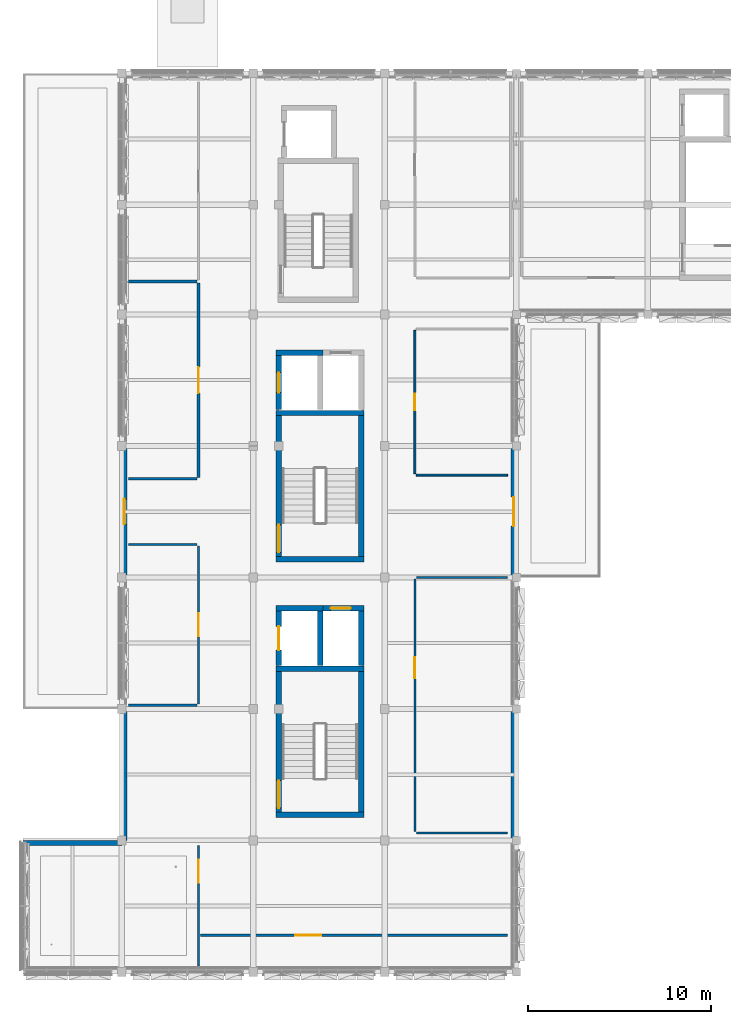
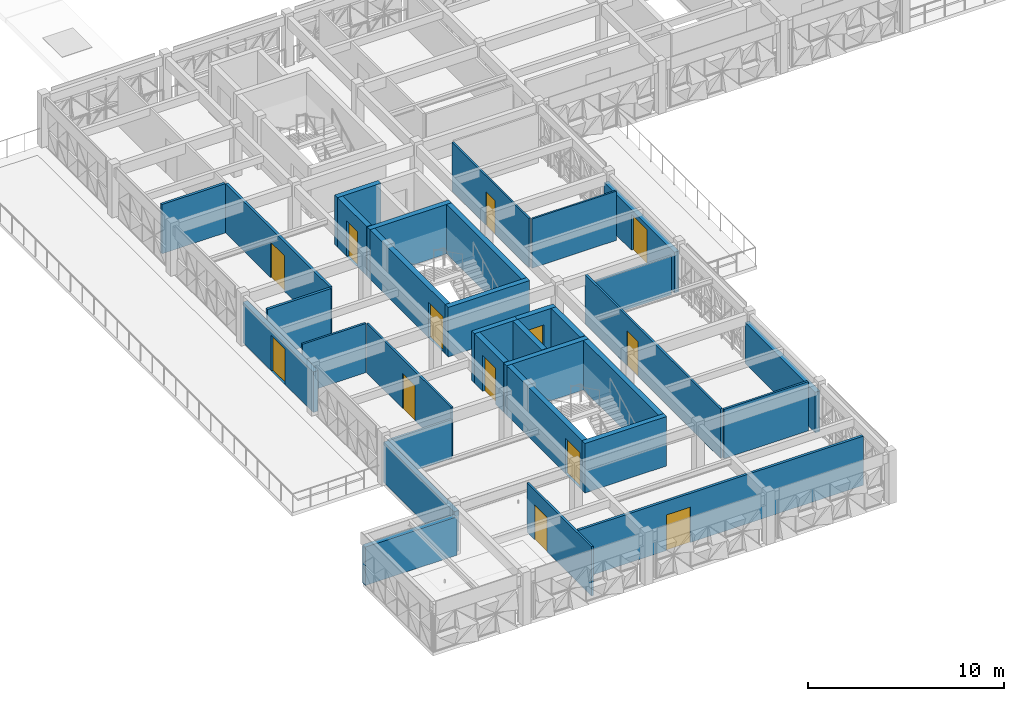
# One storey, part 19 of 35: 33 walls, 13 doors, 13 openings.
"""IFC4 building model written with IfcOpenShell, lengths in metres."""

from ifc_helpers import new_model, si_unit, direction, frame, frame_2d, origin, place, context, subcontext, project, spatial, rectangle, extrude, material, layer, layer_set, type_object, element, fill, save


model = new_model("IFC4")

# Units and contexts
model_context = context("Model", 3, precision=1e-05, world=origin(), true_north=direction((0.0, 1.0)))
body_context = subcontext(model_context, "Body", "Model", "MODEL_VIEW")
ifc_project = project(units=[si_unit("LENGTHUNIT", "METRE"), si_unit("AREAUNIT", "SQUARE_METRE"), si_unit("VOLUMEUNIT", "CUBIC_METRE"), si_unit("PLANEANGLEUNIT", "RADIAN"), si_unit("MASSUNIT", "GRAM", prefix="KILO")], contexts=[model_context])

# Site, building, storey
site_placement = place(None, origin())
site = spatial("IfcSite", under=ifc_project, at=site_placement, CompositionType="ELEMENT")
building_placement = place(site_placement, origin())
building = spatial("IfcBuilding", under=site, at=building_placement, Name="Alvorim Cloister Faculty of Sciences", CompositionType="ELEMENT")
storey_placement = place(building_placement, frame((0.0, 0.0, 22.949951171875)))
storey = spatial("IfcBuildingStorey", under=building, at=storey_placement, Name="L06", CompositionType="ELEMENT", Elevation=22.949951171875)

# Walls
ifc_material_1 = material(Name="Cross-Laminated Timber CLT C24", Category="wood")
ifc_layer_1 = layer(ifc_material_1, 0.280029296875)
ifc_layer_set_1 = layer_set([ifc_layer_1], Name="Cross-Laminated Timber CLT C24")
wall_type_1 = type_object("IfcWallType", Name="WL-EXT-TMB-280", PredefinedType="SOLIDWALL", material=ifc_layer_set_1)
wall_1_placement = place(storey_placement, frame((1.800048828125, 14.260009765625, 0.0), z_axis=(0.0, 0.0, 1.0), x_axis=(1.0, 0.0, 0.0)))
element("IfcWall", 1, at=wall_1_placement, inside=storey, type_object=wall_type_1, Name="L06 Exterior Wall WL-0235", PredefinedType="SOLIDWALL", context=body_context, shape_type="SweptSolid", body=[
    extrude(rectangle(XDim=5.39990234375, YDim=0.280029296875, at=frame_2d((2.699951171875, 0.0))), origin(), (0.0, 0.0, 1.0), 2.39599609375),
])
wall_2_placement = place(storey_placement, frame((7.340087890625, 14.39990234375, 0.0), z_axis=(0.0, 0.0, 1.0), x_axis=(0.0, 1.0, 0.0)))
element("IfcWall", 2, at=wall_2_placement, inside=storey, type_object=wall_type_1, Name="L06 Exterior Wall WL-0236", PredefinedType="SOLIDWALL", context=body_context, shape_type="SweptSolid", body=[
    extrude(rectangle(XDim=7.2001953125, YDim=0.280029296875, at=frame_2d((3.60009765625, 0.0))), origin(), (0.0, 0.0, 1.0), 2.5400390625),
])

# Wall, opening, door
wall_3_placement = place(storey_placement, frame((7.340087890625, 28.800048828125, 0.0), z_axis=(0.0, 0.0, 1.0), x_axis=(0.0, 1.0, 0.0)))
wall_3 = element("IfcWall", 3, at=wall_3_placement, inside=storey, type_object=wall_type_1, Name="L06 Exterior Wall WL-0237", PredefinedType="SOLIDWALL", context=body_context, shape_type="SweptSolid", body=[
    extrude(rectangle(XDim=7.199951171875, YDim=0.280029296875, at=frame_2d((3.60009765625, 0.0))), origin(), (0.0, 0.0, 1.0), 2.5400390625),
])
opening_1_placement = place(wall_3_placement, frame((2.89990234375, 0.0, 0.0)))
opening_1 = element("IfcOpeningElement", 4, at=opening_1_placement, cuts=wall_3, Name="Opening TD-10", PredefinedType="OPENING", context=body_context, shape_type="SweptSolid", body=[
    extrude(rectangle(XDim=1.39990234375, YDim=2.199951171875, at=frame_2d((0.699951171875, 1.10009765625))), frame((0.0, 0.15185546875, 0.0), z_axis=(0.0, -1.0, 0.0), x_axis=(1.0, 0.0, 0.0)), (0.0, 0.0, 1.0), 0.303955078125),
])
ifc_material_2 = material(Name="Aluminium Alloy 6063-T6", Category="aluminium")
door_type_1 = type_object("IfcDoorType", Name="DR-TER-1400x2200", OperationType="NOTDEFINED", PredefinedType="DOOR", material=ifc_material_2)
door_1_placement = place(opening_1_placement, origin())
door_1 = element("IfcDoor", 5, at=door_1_placement, inside=storey, type_object=door_type_1, Name="L06 West Shifted Bar Sky Garden Access Door TD-10", OperationType="DOUBLE_DOOR_SINGLE_SWING", OverallHeight=2.199951171875, OverallWidth=1.39990234375, PredefinedType="DOOR", context=body_context, shape_type="SweptSolid", body=[
    extrude(rectangle(XDim=1.39990234375, YDim=2.199951171875, at=frame_2d((0.699951171875, 1.10009765625))), frame((0.0, 0.02490234375, 0.0), z_axis=(0.0, -1.0, 0.0), x_axis=(1.0, 0.0, 0.0)), (0.0, 0.0, 1.0), 0.050048828125),
])
fill(opening_1, door_1)

wall_4_placement = place(storey_placement, frame((28.659912109375, 28.800048828125, 0.0), z_axis=(0.0, 0.0, 1.0), x_axis=(0.0, 1.0, 0.0)))
wall_4 = element("IfcWall", 6, at=wall_4_placement, inside=storey, type_object=wall_type_1, Name="L06 Exterior Wall WL-0239", PredefinedType="SOLIDWALL", context=body_context, shape_type="SweptSolid", body=[
    extrude(rectangle(XDim=7.199951171875, YDim=0.280029296875, at=frame_2d((3.60009765625, 0.0))), origin(), (0.0, 0.0, 1.0), 2.5400390625),
])
opening_2_placement = place(wall_4_placement, frame((2.800048828125, 0.0, 0.0)))
opening_2 = element("IfcOpeningElement", 7, at=opening_2_placement, cuts=wall_4, Name="Opening TD-11", PredefinedType="OPENING", context=body_context, shape_type="SweptSolid", body=[
    extrude(rectangle(XDim=1.60009765625, YDim=2.25, at=frame_2d((0.800048828125, 1.125))), frame((0.0, 0.15185546875, 0.0), z_axis=(0.0, -1.0, 0.0), x_axis=(1.0, 0.0, 0.0)), (0.0, 0.0, 1.0), 0.303955078125),
])
door_type_2 = type_object("IfcDoorType", Name="DR-TER-1600x2250", OperationType="NOTDEFINED", PredefinedType="DOOR", material=ifc_material_2)
door_2_placement = place(opening_2_placement, origin())
door_2 = element("IfcDoor", 8, at=door_2_placement, inside=storey, type_object=door_type_2, Name="L06 Upper Cloister Overlook Sky Terrace Access Door TD-11", OperationType="DOUBLE_DOOR_SINGLE_SWING", OverallHeight=2.25, OverallWidth=1.60009765625, PredefinedType="DOOR", context=body_context, shape_type="SweptSolid", body=[
    extrude(rectangle(XDim=1.60009765625, YDim=2.25, at=frame_2d((0.800048828125, 1.125))), frame((0.0, 0.02490234375, 0.0), z_axis=(0.0, -1.0, 0.0), x_axis=(1.0, 0.0, 0.0)), (0.0, 0.0, 1.0), 0.050048828125),
])
fill(opening_2, door_2)

# Wall
wall_5_placement = place(storey_placement, frame((28.659912109375, 14.39990234375, 0.0), z_axis=(0.0, 0.0, 1.0), x_axis=(0.0, 1.0, 0.0)))
element("IfcWall", 9, at=wall_5_placement, inside=storey, type_object=wall_type_1, Name="L06 Exterior Wall WL-0240", PredefinedType="SOLIDWALL", context=body_context, shape_type="SweptSolid", body=[
    extrude(rectangle(XDim=7.2001953125, YDim=0.280029296875, at=frame_2d((3.60009765625, 0.0))), origin(), (0.0, 0.0, 1.0), 2.5400390625),
])

# Wall, opening, door
ifc_material_3 = material(Name="Moisture-Resistant Tile Stud Partition", Category="gypsum")
ifc_layer_2 = layer(ifc_material_3, 0.10009765625)
ifc_layer_set_2 = layer_set([ifc_layer_2], Name="Moisture-Resistant Tile Stud Partition")
wall_type_2 = type_object("IfcWallType", Name="WL-PRT-100", PredefinedType="PARTITIONING", material=ifc_layer_set_2)
wall_6_placement = place(storey_placement, frame((23.25, 34.47998046875, 0.0), z_axis=(0.0, 0.0, 1.0), x_axis=(0.0, 1.0, 0.0)))
wall_6 = element("IfcWall", 10, at=wall_6_placement, inside=storey, type_object=wall_type_2, Name="L06 L06 Accessible WCs Partition IWL-0678", PredefinedType="PARTITIONING", context=body_context, shape_type="SweptSolid", body=[
    extrude(rectangle(XDim=7.840087890625, YDim=0.10009765625, at=frame_2d((3.919921875, 0.0))), origin(), (0.0, 0.0, 1.0), 3.074951171875),
])
opening_3_placement = place(wall_6_placement, frame((3.469970703125, 0.0, 0.0)))
opening_3 = element("IfcOpeningElement", 11, at=opening_3_placement, cuts=wall_6, Name="Opening D-L06-200", PredefinedType="OPENING", context=body_context, shape_type="SweptSolid", body=[
    extrude(rectangle(XDim=0.89990234375, YDim=2.10009765625, at=frame_2d((0.449951171875, 1.050048828125))), frame((0.0, 0.06201171875, 0.0), z_axis=(0.0, -1.0, 0.0), x_axis=(1.0, 0.0, 0.0)), (0.0, 0.0, 1.0), 0.1240234375),
])
ifc_material_4 = material(Name="Moisture-Resistant Laminate Timber", Category="wood")
door_type_3 = type_object("IfcDoorType", Name="DR-WC-900x2100", OperationType="NOTDEFINED", PredefinedType="DOOR", material=ifc_material_4)
door_3_placement = place(opening_3_placement, origin())
door_3 = element("IfcDoor", 12, at=door_3_placement, inside=storey, type_object=door_type_3, Name="L06 Accessible WCs Door D-L06-200", OperationType="SINGLE_SWING_RIGHT", OverallHeight=2.10009765625, OverallWidth=0.89990234375, PredefinedType="DOOR", context=body_context, shape_type="SweptSolid", body=[
    extrude(rectangle(XDim=0.89990234375, YDim=2.10009765625, at=frame_2d((0.449951171875, 1.050048828125))), frame((0.0, 0.02490234375, 0.0), z_axis=(0.0, -1.0, 0.0), x_axis=(1.0, 0.0, 0.0)), (0.0, 0.0, 1.0), 0.050048828125),
])
fill(opening_3, door_3)

# Wall
wall_7_placement = place(storey_placement, frame((23.330078125, 34.39990234375, 0.0), z_axis=(0.0, 0.0, 1.0), x_axis=(1.0, 0.0, 0.0)))
element("IfcWall", 13, at=wall_7_placement, inside=storey, type_object=wall_type_2, Name="L06 L06 Accessible WCs Partition IWL-0679", PredefinedType="PARTITIONING", context=body_context, shape_type="SweptSolid", body=[
    extrude(rectangle(XDim=4.989990234375, YDim=0.10009765625, at=frame_2d((2.4951171875, 0.0))), origin(), (0.0, 0.0, 1.0), 3.074951171875),
])

# Wall, opening, door
ifc_material_5 = material(Name="Acoustic Gypsum Stud Partition", Category="gypsum")
ifc_layer_3 = layer(ifc_material_5, 0.1201171875)
ifc_layer_set_3 = layer_set([ifc_layer_3], Name="Acoustic Gypsum Stud Partition")
wall_type_3 = type_object("IfcWallType", Name="WL-PRT-120", PredefinedType="PARTITIONING", material=ifc_layer_set_3)
wall_8_placement = place(storey_placement, frame((11.39990234375, 7.530029296875, 0.0), z_axis=(0.0, 0.0, 1.0), x_axis=(0.0, 1.0, 0.0)))
wall_8 = element("IfcWall", 14, at=wall_8_placement, inside=storey, type_object=wall_type_3, Name="L06 South-West Cantilevered Earth Sciences Salon Partition IWL-0666", PredefinedType="PARTITIONING", context=body_context, shape_type="SweptSolid", body=[
    extrude(rectangle(XDim=6.590087890625, YDim=0.1201171875, at=frame_2d((3.294921875, 0.0))), origin(), (0.0, 0.0, 1.0), 3.074951171875),
])
opening_4_placement = place(wall_8_placement, frame((4.550048828125, 0.0, 0.0)))
opening_4 = element("IfcOpeningElement", 15, at=opening_4_placement, cuts=wall_8, Name="Opening D-L06-194", PredefinedType="OPENING", context=body_context, shape_type="SweptSolid", body=[
    extrude(rectangle(XDim=1.260009765625, YDim=2.179931640625, at=frame_2d((0.6298828125, 1.08984375))), frame((0.0, 0.072021484375, 0.0), z_axis=(0.0, -1.0, 0.0), x_axis=(1.0, 0.0, 0.0)), (0.0, 0.0, 1.0), 0.14404296875),
])
ifc_material_6 = material(Name="Solid Acoustic Oak Timber", Category="wood")
door_type_4 = type_object("IfcDoorType", Name="DR-SEM-1260x2180", OperationType="NOTDEFINED", PredefinedType="DOOR", material=ifc_material_6)
door_4_placement = place(opening_4_placement, origin())
door_4 = element("IfcDoor", 16, at=door_4_placement, inside=storey, type_object=door_type_4, Name="South-West Cantilevered Earth Sciences Salon Door D-L06-194", OperationType="SINGLE_SWING_RIGHT", OverallHeight=2.179931640625, OverallWidth=1.260009765625, PredefinedType="DOOR", context=body_context, shape_type="SweptSolid", body=[
    extrude(rectangle(XDim=1.260009765625, YDim=2.179931640625, at=frame_2d((0.6298828125, 1.08984375))), frame((0.0, 0.02490234375, 0.0), z_axis=(0.0, -1.0, 0.0), x_axis=(1.0, 0.0, 0.0)), (0.0, 0.0, 1.0), 0.050048828125),
])
fill(opening_4, door_4)

# Wall
wall_9_placement = place(storey_placement, frame((7.580078125, 21.800048828125, 0.0), z_axis=(0.0, 0.0, 1.0), x_axis=(1.0, 0.0, 0.0)))
element("IfcWall", 17, at=wall_9_placement, inside=storey, type_object=wall_type_3, Name="L06 Climate Modelling Studio Partition IWL-0668", PredefinedType="PARTITIONING", context=body_context, shape_type="SweptSolid", body=[
    extrude(rectangle(XDim=3.739990234375, YDim=0.1201171875, at=frame_2d((1.8701171875, 0.0))), origin(), (0.0, 0.0, 1.0), 2.4150390625),
])

# Wall, opening, door
wall_10_placement = place(storey_placement, frame((11.39990234375, 21.8798828125, 0.0), z_axis=(0.0, 0.0, 1.0), x_axis=(0.0, 1.0, 0.0)))
wall_10 = element("IfcWall", 18, at=wall_10_placement, inside=storey, type_object=wall_type_3, Name="L06 Climate Modelling Studio Partition IWL-0669", PredefinedType="PARTITIONING", context=body_context, shape_type="SweptSolid", body=[
    extrude(rectangle(XDim=8.64013671875, YDim=0.1201171875, at=frame_2d((4.320068359375, 0.0))), origin(), (0.0, 0.0, 1.0), 3.074951171875),
])
opening_5_placement = place(wall_10_placement, frame((3.68994140625, 0.0, 0.0)))
opening_5 = element("IfcOpeningElement", 19, at=opening_5_placement, cuts=wall_10, Name="Opening D-L06-196", PredefinedType="OPENING", context=body_context, shape_type="SweptSolid", body=[
    extrude(rectangle(XDim=1.260009765625, YDim=2.179931640625, at=frame_2d((0.6298828125, 1.08984375))), frame((0.0, 0.072021484375, 0.0), z_axis=(0.0, -1.0, 0.0), x_axis=(1.0, 0.0, 0.0)), (0.0, 0.0, 1.0), 0.14404296875),
])
door_5_placement = place(opening_5_placement, origin())
door_5 = element("IfcDoor", 20, at=door_5_placement, inside=storey, type_object=door_type_4, Name="Climate Modelling Studio Door D-L06-196", OperationType="SINGLE_SWING_RIGHT", OverallHeight=2.179931640625, OverallWidth=1.260009765625, PredefinedType="DOOR", context=body_context, shape_type="SweptSolid", body=[
    extrude(rectangle(XDim=1.260009765625, YDim=2.179931640625, at=frame_2d((0.6298828125, 1.08984375))), frame((0.0, 0.02490234375, 0.0), z_axis=(0.0, -1.0, 0.0), x_axis=(1.0, 0.0, 0.0)), (0.0, 0.0, 1.0), 0.050048828125),
])
fill(opening_5, door_5)

# Wall
wall_11_placement = place(storey_placement, frame((7.580078125, 30.60009765625, 0.0), z_axis=(0.0, 0.0, 1.0), x_axis=(1.0, 0.0, 0.0)))
element("IfcWall", 21, at=wall_11_placement, inside=storey, type_object=wall_type_3, Name="L06 Climate Modelling Studio Partition IWL-0670", PredefinedType="PARTITIONING", context=body_context, shape_type="SweptSolid", body=[
    extrude(rectangle(XDim=3.739990234375, YDim=0.1201171875, at=frame_2d((1.8701171875, 0.0))), origin(), (0.0, 0.0, 1.0), 3.074951171875),
])

# Wall, opening, door
wall_12_placement = place(storey_placement, frame((23.25, 14.8798828125, 0.0), z_axis=(0.0, 0.0, 1.0), x_axis=(0.0, 1.0, 0.0)))
wall_12 = element("IfcWall", 22, at=wall_12_placement, inside=storey, type_object=wall_type_3, Name="L06 East Tower Faculty Offices Partition IWL-0675", PredefinedType="PARTITIONING", context=body_context, shape_type="SweptSolid", body=[
    extrude(rectangle(XDim=13.840087890625, YDim=0.1201171875, at=frame_2d((6.919921875, 0.0))), origin(), (0.0, 0.0, 1.0), 3.074951171875),
])
opening_6_placement = place(wall_12_placement, frame((8.38671875, 0.0, 0.0)))
opening_6 = element("IfcOpeningElement", 23, at=opening_6_placement, cuts=wall_12, Name="Opening D-L06-199", PredefinedType="OPENING", context=body_context, shape_type="SweptSolid", body=[
    extrude(rectangle(XDim=1.14990234375, YDim=2.179931640625, at=frame_2d((0.574951171875, 1.08984375))), frame((0.0, 0.072021484375, 0.0), z_axis=(0.0, -1.0, 0.0), x_axis=(1.0, 0.0, 0.0)), (0.0, 0.0, 1.0), 0.14404296875),
])
door_type_5 = type_object("IfcDoorType", Name="DR-OFF-1150x2180", OperationType="NOTDEFINED", PredefinedType="DOOR", material=ifc_material_6)
door_6_placement = place(opening_6_placement, origin())
door_6 = element("IfcDoor", 24, at=door_6_placement, inside=storey, type_object=door_type_5, Name="East Tower Faculty Offices Door D-L06-199", OperationType="SINGLE_SWING_LEFT", OverallHeight=2.179931640625, OverallWidth=1.14990234375, PredefinedType="DOOR", context=body_context, shape_type="SweptSolid", body=[
    extrude(rectangle(XDim=1.14990234375, YDim=2.179931640625, at=frame_2d((0.574951171875, 1.08984375))), frame((0.0, 0.02490234375, 0.0), z_axis=(0.0, -1.0, 0.0), x_axis=(1.0, 0.0, 0.0)), (0.0, 0.0, 1.0), 0.050048828125),
])
fill(opening_6, door_6)

# Walls
wall_13_placement = place(storey_placement, frame((23.330078125, 14.800048828125, 0.0), z_axis=(0.0, 0.0, 1.0), x_axis=(1.0, 0.0, 0.0)))
element("IfcWall", 25, at=wall_13_placement, inside=storey, type_object=wall_type_3, Name="L06 East Tower Faculty Offices Partition IWL-0676", PredefinedType="PARTITIONING", context=body_context, shape_type="SweptSolid", body=[
    extrude(rectangle(XDim=4.989990234375, YDim=0.1201171875, at=frame_2d((2.4951171875, 0.0))), origin(), (0.0, 0.0, 1.0), 3.074951171875),
])
wall_14_placement = place(storey_placement, frame((23.330078125, 28.800048828125, 0.0), z_axis=(0.0, 0.0, 1.0), x_axis=(1.0, 0.0, 0.0)))
element("IfcWall", 26, at=wall_14_placement, inside=storey, type_object=wall_type_3, Name="L06 East Tower Faculty Offices Partition IWL-0677", PredefinedType="PARTITIONING", context=body_context, shape_type="SweptSolid", body=[
    extrude(rectangle(XDim=4.989990234375, YDim=0.1201171875, at=frame_2d((2.4951171875, 0.0))), origin(), (0.0, 0.0, 1.0), 2.4150390625),
])

# Wall, opening, door
ifc_material_7 = material(Name="Gypsum Fireboard Stud Partition", Category="gypsum")
ifc_layer_4 = layer(ifc_material_7, 0.14990234375)
ifc_layer_set_4 = layer_set([ifc_layer_4], Name="Gypsum Fireboard Stud Partition")
wall_type_4 = type_object("IfcWallType", Name="WL-PRT-150", PredefinedType="PARTITIONING", material=ifc_layer_set_4)
wall_15_placement = place(storey_placement, frame((11.5, 9.199951171875, 0.0), z_axis=(0.0, 0.0, 1.0), x_axis=(1.0, 0.0, 0.0)))
wall_15 = element("IfcWall", 27, at=wall_15_placement, inside=storey, type_object=wall_type_4, Name="L06 South Paleoclimatology Laboratory Partition IWL-0667", PredefinedType="PARTITIONING", context=body_context, shape_type="SweptSolid", body=[
    extrude(rectangle(XDim=16.820068359375, YDim=0.14990234375, at=frame_2d((8.41015625, 0.0))), origin(), (0.0, 0.0, 1.0), 3.074951171875),
])
opening_7_placement = place(wall_15_placement, frame((5.195068359375, 0.0, 0.0)))
opening_7 = element("IfcOpeningElement", 28, at=opening_7_placement, cuts=wall_15, Name="Opening D-L06-195", PredefinedType="OPENING", context=body_context, shape_type="SweptSolid", body=[
    extrude(rectangle(XDim=1.419921875, YDim=2.219970703125, at=frame_2d((0.7099609375, 1.10986328125))), frame((0.0, 0.0869140625, 0.0), z_axis=(0.0, -1.0, 0.0), x_axis=(1.0, 0.0, 0.0)), (0.0, 0.0, 1.0), 0.173828125),
])
ifc_material_8 = material(Name="Fire-Rated Laminate Timber", Category="wood")
door_type_6 = type_object("IfcDoorType", Name="DR-LAB-1420x2220", OperationType="NOTDEFINED", PredefinedType="DOOR", material=ifc_material_8)
door_7_placement = place(opening_7_placement, origin())
door_7 = element("IfcDoor", 29, at=door_7_placement, inside=storey, type_object=door_type_6, Name="South Paleoclimatology Laboratory Door D-L06-195", OperationType="SINGLE_SWING_LEFT", OverallHeight=2.219970703125, OverallWidth=1.419921875, PredefinedType="DOOR", context=body_context, shape_type="SweptSolid", body=[
    extrude(rectangle(XDim=1.419921875, YDim=2.219970703125, at=frame_2d((0.7099609375, 1.10986328125))), frame((0.0, 0.02490234375, 0.0), z_axis=(0.0, -1.0, 0.0), x_axis=(1.0, 0.0, 0.0)), (0.0, 0.0, 1.0), 0.050048828125),
])
fill(opening_7, door_7)

# Wall
wall_16_placement = place(storey_placement, frame((7.580078125, 34.199951171875, 0.0), z_axis=(0.0, 0.0, 1.0), x_axis=(1.0, 0.0, 0.0)))
element("IfcWall", 30, at=wall_16_placement, inside=storey, type_object=wall_type_4, Name="L06 Geochemistry Clean Laboratory Partition IWL-0671", PredefinedType="PARTITIONING", context=body_context, shape_type="SweptSolid", body=[
    extrude(rectangle(XDim=3.739990234375, YDim=0.14990234375, at=frame_2d((1.8701171875, 0.0))), origin(), (0.0, 0.0, 1.0), 3.074951171875),
])

# Wall, opening, door
wall_17_placement = place(storey_placement, frame((11.39990234375, 34.280029296875, 0.0), z_axis=(0.0, 0.0, 1.0), x_axis=(0.0, 1.0, 0.0)))
wall_17 = element("IfcWall", 31, at=wall_17_placement, inside=storey, type_object=wall_type_4, Name="L06 Geochemistry Clean Laboratory Partition IWL-0672", PredefinedType="PARTITIONING", context=body_context, shape_type="SweptSolid", body=[
    extrude(rectangle(XDim=10.639892578125, YDim=0.14990234375, at=frame_2d((5.31982421875, 0.0))), origin(), (0.0, 0.0, 1.0), 3.074951171875),
])
opening_8_placement = place(wall_17_placement, frame((4.610107421875, 0.0, 0.0)))
opening_8 = element("IfcOpeningElement", 32, at=opening_8_placement, cuts=wall_17, Name="Opening D-L06-197", PredefinedType="OPENING", context=body_context, shape_type="SweptSolid", body=[
    extrude(rectangle(XDim=1.419921875, YDim=2.219970703125, at=frame_2d((0.7099609375, 1.10986328125))), frame((0.0, 0.0869140625, 0.0), z_axis=(0.0, -1.0, 0.0), x_axis=(1.0, 0.0, 0.0)), (0.0, 0.0, 1.0), 0.173828125),
])
door_8_placement = place(opening_8_placement, origin())
door_8 = element("IfcDoor", 33, at=door_8_placement, inside=storey, type_object=door_type_6, Name="Geochemistry Clean Laboratory Door D-L06-197", OperationType="SINGLE_SWING_LEFT", OverallHeight=2.219970703125, OverallWidth=1.419921875, PredefinedType="DOOR", context=body_context, shape_type="SweptSolid", body=[
    extrude(rectangle(XDim=1.419921875, YDim=2.219970703125, at=frame_2d((0.7099609375, 1.10986328125))), frame((0.0, 0.02490234375, 0.0), z_axis=(0.0, -1.0, 0.0), x_axis=(1.0, 0.0, 0.0)), (0.0, 0.0, 1.0), 0.050048828125),
])
fill(opening_8, door_8)

# Walls
wall_18_placement = place(storey_placement, frame((7.580078125, 45.0, 0.0), z_axis=(0.0, 0.0, 1.0), x_axis=(1.0, 0.0, 0.0)))
element("IfcWall", 34, at=wall_18_placement, inside=storey, type_object=wall_type_4, Name="L06 Geochemistry Clean Laboratory Partition IWL-0673", PredefinedType="PARTITIONING", context=body_context, shape_type="SweptSolid", body=[
    extrude(rectangle(XDim=3.739990234375, YDim=0.14990234375, at=frame_2d((1.8701171875, 0.0))), origin(), (0.0, 0.0, 1.0), 3.074951171875),
])
ifc_material_9 = material(Name="Concrete C40", Category="concrete")
ifc_layer_5 = layer(ifc_material_9, 0.300048828125)
ifc_layer_set_5 = layer_set([ifc_layer_5], Name="Concrete C40")
wall_type_5 = type_object("IfcWallType", Name="WL-SHR-300", PredefinedType="SHEAR", material=ifc_layer_set_5)
for number, where, z_axis, x_axis, name in (
    (35, (15.64990234375, 15.800048828125, 0.0), (0.0, 0.0, 1.0), (1.0, 0.0, 0.0), "L06 CORE K1 Shear Wall IWL-0029"),
    (36, (15.64990234375, 23.800048828125, 0.0), (0.0, 0.0, 1.0), (1.0, 0.0, 0.0), "L06 CORE K1 Shear Wall IWL-0030"),
):
    element("IfcWall", number, at=place(storey_placement, frame(where, z_axis=z_axis, x_axis=x_axis)), inside=storey, type_object=wall_type_5, Name=name, PredefinedType="SHEAR", context=body_context, shape_type="SweptSolid", body=[
        extrude(rectangle(XDim=4.820068359375, YDim=0.300048828125, at=frame_2d((2.41015625, 0.0))), origin(), (0.0, 0.0, 1.0), 3.090087890625),
    ])

# Wall, opening, door
wall_19_placement = place(storey_placement, frame((15.800048828125, 15.949951171875, 0.0), z_axis=(0.0, 0.0, 1.0), x_axis=(0.0, 1.0, 0.0)))
wall_19 = element("IfcWall", 37, at=wall_19_placement, inside=storey, type_object=wall_type_5, Name="L06 CORE K1 Shear Wall IWL-0031", PredefinedType="SHEAR", context=body_context, shape_type="SweptSolid", body=[
    extrude(rectangle(XDim=7.699951171875, YDim=0.300048828125, at=frame_2d((3.85009765625, 0.0))), origin(), (0.0, 0.0, 1.0), 3.090087890625),
])
opening_9_placement = place(wall_19_placement, frame((0.219970703125, 0.0, 0.0)))
opening_9 = element("IfcOpeningElement", 38, at=opening_9_placement, cuts=wall_19, Name="Opening SD-K1-L06", PredefinedType="OPENING", context=body_context, shape_type="SweptSolid", body=[
    extrude(rectangle(XDim=1.5, YDim=2.199951171875, at=frame_2d((0.75, 1.10009765625))), frame((0.0, 0.162109375, 0.0), z_axis=(0.0, -1.0, 0.0), x_axis=(1.0, 0.0, 0.0)), (0.0, 0.0, 1.0), 0.323974609375),
])
ifc_material_10 = material(Name="Galvanised Fire-Rated Steel", Category="steel")
door_type_7 = type_object("IfcDoorType", Name="DR-STR-1500x2200", OperationType="NOTDEFINED", PredefinedType="DOOR", material=ifc_material_10)
door_9_placement = place(opening_9_placement, origin())
door_9 = element("IfcDoor", 39, at=door_9_placement, inside=storey, type_object=door_type_7, Name="L06 Stair ST-01 Fire Door SD-K1-L06", OperationType="DOUBLE_DOOR_SINGLE_SWING", OverallHeight=2.199951171875, OverallWidth=1.5, PredefinedType="DOOR", context=body_context, shape_type="SweptSolid", body=[
    extrude(rectangle(XDim=1.5, YDim=2.199951171875, at=frame_2d((0.75, 1.10009765625))), frame((0.0, 0.02490234375, 0.0), z_axis=(0.0, -1.0, 0.0), x_axis=(1.0, 0.0, 0.0)), (0.0, 0.0, 1.0), 0.050048828125),
])
fill(opening_9, door_9)

# Walls
wall_20_placement = place(storey_placement, frame((20.320068359375, 15.949951171875, 0.0), z_axis=(0.0, 0.0, 1.0), x_axis=(0.0, 1.0, 0.0)))
element("IfcWall", 40, at=wall_20_placement, inside=storey, type_object=wall_type_5, Name="L06 CORE K1 Shear Wall IWL-0032", PredefinedType="SHEAR", context=body_context, shape_type="SweptSolid", body=[
    extrude(rectangle(XDim=7.699951171875, YDim=0.300048828125, at=frame_2d((3.85009765625, 0.0))), origin(), (0.0, 0.0, 1.0), 3.090087890625),
])
for number, where, z_axis, x_axis, name in (
    (41, (15.64990234375, 29.800048828125, 0.0), (0.0, 0.0, 1.0), (1.0, 0.0, 0.0), "L06 CORE K2 Shear Wall IWL-0073"),
    (42, (15.64990234375, 37.800048828125, 0.0), (0.0, 0.0, 1.0), (1.0, 0.0, 0.0), "L06 CORE K2 Shear Wall IWL-0074"),
):
    element("IfcWall", number, at=place(storey_placement, frame(where, z_axis=z_axis, x_axis=x_axis)), inside=storey, type_object=wall_type_5, Name=name, PredefinedType="SHEAR", context=body_context, shape_type="SweptSolid", body=[
        extrude(rectangle(XDim=4.820068359375, YDim=0.300048828125, at=frame_2d((2.41015625, 0.0))), origin(), (0.0, 0.0, 1.0), 3.090087890625),
    ])

# Wall, opening, door
wall_21_placement = place(storey_placement, frame((15.800048828125, 29.949951171875, 0.0), z_axis=(0.0, 0.0, 1.0), x_axis=(0.0, 1.0, 0.0)))
wall_21 = element("IfcWall", 43, at=wall_21_placement, inside=storey, type_object=wall_type_5, Name="L06 CORE K2 Shear Wall IWL-0075", PredefinedType="SHEAR", context=body_context, shape_type="SweptSolid", body=[
    extrude(rectangle(XDim=7.699951171875, YDim=0.300048828125, at=frame_2d((3.85009765625, 0.0))), origin(), (0.0, 0.0, 1.0), 3.090087890625),
])
opening_10_placement = place(wall_21_placement, frame((0.219970703125, 0.0, 0.0)))
opening_10 = element("IfcOpeningElement", 44, at=opening_10_placement, cuts=wall_21, Name="Opening SD-K2-L06", PredefinedType="OPENING", context=body_context, shape_type="SweptSolid", body=[
    extrude(rectangle(XDim=1.5, YDim=2.199951171875, at=frame_2d((0.75, 1.10009765625))), frame((0.0, 0.162109375, 0.0), z_axis=(0.0, -1.0, 0.0), x_axis=(1.0, 0.0, 0.0)), (0.0, 0.0, 1.0), 0.323974609375),
])
door_10_placement = place(opening_10_placement, origin())
door_10 = element("IfcDoor", 45, at=door_10_placement, inside=storey, type_object=door_type_7, Name="L06 Stair ST-02 Fire Door SD-K2-L06", OperationType="DOUBLE_DOOR_SINGLE_SWING", OverallHeight=2.199951171875, OverallWidth=1.5, PredefinedType="DOOR", context=body_context, shape_type="SweptSolid", body=[
    extrude(rectangle(XDim=1.5, YDim=2.199951171875, at=frame_2d((0.75, 1.10009765625))), frame((0.0, 0.02490234375, 0.0), z_axis=(0.0, -1.0, 0.0), x_axis=(1.0, 0.0, 0.0)), (0.0, 0.0, 1.0), 0.050048828125),
])
fill(opening_10, door_10)

# Walls
wall_22_placement = place(storey_placement, frame((20.320068359375, 29.949951171875, 0.0), z_axis=(0.0, 0.0, 1.0), x_axis=(0.0, 1.0, 0.0)))
element("IfcWall", 46, at=wall_22_placement, inside=storey, type_object=wall_type_5, Name="L06 CORE K2 Shear Wall IWL-0076", PredefinedType="SHEAR", context=body_context, shape_type="SweptSolid", body=[
    extrude(rectangle(XDim=7.699951171875, YDim=0.300048828125, at=frame_2d((3.85009765625, 0.0))), origin(), (0.0, 0.0, 1.0), 3.090087890625),
])
wall_23_placement = place(storey_placement, frame((15.64990234375, 27.10009765625, 0.0), z_axis=(0.0, 0.0, 1.0), x_axis=(1.0, 0.0, 0.0)))
element("IfcWall", 47, at=wall_23_placement, inside=storey, type_object=wall_type_5, Name="L06 Lift LF-01 Shaft Wall IWL-0254", PredefinedType="SHEAR", context=body_context, shape_type="SweptSolid", body=[
    extrude(rectangle(XDim=2.56005859375, YDim=0.300048828125, at=frame_2d((1.280029296875, 0.0))), origin(), (0.0, 0.0, 1.0), 3.090087890625),
])

# Wall, opening, door
wall_24_placement = place(storey_placement, frame((15.800048828125, 23.97998046875, 0.0), z_axis=(0.0, 0.0, 1.0), x_axis=(0.0, 1.0, 0.0)))
wall_24 = element("IfcWall", 48, at=wall_24_placement, inside=storey, type_object=wall_type_5, Name="L06 Lift LF-01 Shaft Wall IWL-0255", PredefinedType="SHEAR", context=body_context, shape_type="SweptSolid", body=[
    extrude(rectangle(XDim=2.969970703125, YDim=0.300048828125, at=frame_2d((1.48486328125, 0.0))), origin(), (0.0, 0.0, 1.0), 3.090087890625),
])
opening_11_placement = place(wall_24_placement, frame((0.8349609375, 0.0, 0.0)))
opening_11 = element("IfcOpeningElement", 49, at=opening_11_placement, cuts=wall_24, Name="Opening LD-008", PredefinedType="OPENING", context=body_context, shape_type="SweptSolid", body=[
    extrude(rectangle(XDim=1.300048828125, YDim=2.25, at=frame_2d((0.64990234375, 1.125))), frame((0.0, 0.162109375, 0.0), z_axis=(0.0, -1.0, 0.0), x_axis=(1.0, 0.0, 0.0)), (0.0, 0.0, 1.0), 0.323974609375),
])
ifc_material_11 = material(Name="Brushed Stainless Steel", Category="steel")
door_type_8 = type_object("IfcDoorType", Name="DR-LFT-1300x2250", OperationType="NOTDEFINED", PredefinedType="DOOR", material=ifc_material_11)
door_11_placement = place(opening_11_placement, origin())
door_11 = element("IfcDoor", 50, at=door_11_placement, inside=storey, type_object=door_type_8, Name="L06 Lift LF-01 Sliding Landing Door LD-008", OperationType="DOUBLE_DOOR_SLIDING", OverallHeight=2.25, OverallWidth=1.300048828125, PredefinedType="DOOR", context=body_context, shape_type="SweptSolid", body=[
    extrude(rectangle(XDim=1.300048828125, YDim=2.25, at=frame_2d((0.64990234375, 1.125))), frame((0.0, 0.02490234375, 0.0), z_axis=(0.0, -1.0, 0.0), x_axis=(1.0, 0.0, 0.0)), (0.0, 0.0, 1.0), 0.050048828125),
])
fill(opening_11, door_11)

# Wall
wall_25_placement = place(storey_placement, frame((18.06005859375, 23.97998046875, 0.0), z_axis=(0.0, 0.0, 1.0), x_axis=(0.0, 1.0, 0.0)))
element("IfcWall", 51, at=wall_25_placement, inside=storey, type_object=wall_type_5, Name="L06 Lift LF-01 Shaft Wall IWL-0256", PredefinedType="SHEAR", context=body_context, shape_type="SweptSolid", body=[
    extrude(rectangle(XDim=2.969970703125, YDim=0.300048828125, at=frame_2d((1.48486328125, 0.0))), origin(), (0.0, 0.0, 1.0), 3.090087890625),
])

# Wall, opening, door
wall_26_placement = place(storey_placement, frame((17.909912109375, 27.10009765625, 0.0), z_axis=(0.0, 0.0, 1.0), x_axis=(1.0, 0.0, 0.0)))
wall_26 = element("IfcWall", 52, at=wall_26_placement, inside=storey, type_object=wall_type_5, Name="L06 Lift LP-01 Shaft Wall IWL-0280", PredefinedType="SHEAR", context=body_context, shape_type="SweptSolid", body=[
    extrude(rectangle(XDim=2.56005859375, YDim=0.300048828125, at=frame_2d((1.280029296875, 0.0))), origin(), (0.0, 0.0, 1.0), 3.090087890625),
])
opening_12_placement = place(wall_26_placement, frame((0.72998046875, 0.0, 0.0)))
opening_12 = element("IfcOpeningElement", 53, at=opening_12_placement, cuts=wall_26, Name="Opening LD-019", PredefinedType="OPENING", context=body_context, shape_type="SweptSolid", body=[
    extrude(rectangle(XDim=1.10009765625, YDim=2.199951171875, at=frame_2d((0.550048828125, 1.10009765625))), frame((0.0, 0.162109375, 0.0), z_axis=(0.0, -1.0, 0.0), x_axis=(1.0, 0.0, 0.0)), (0.0, 0.0, 1.0), 0.323974609375),
])
door_type_9 = type_object("IfcDoorType", Name="DR-LFT-1100x2200", OperationType="NOTDEFINED", PredefinedType="DOOR", material=ifc_material_11)
door_12_placement = place(opening_12_placement, origin())
door_12 = element("IfcDoor", 54, at=door_12_placement, inside=storey, type_object=door_type_9, Name="L06 Lift LP-01 Sliding Landing Door LD-019", OperationType="DOUBLE_DOOR_SLIDING", OverallHeight=2.199951171875, OverallWidth=1.10009765625, PredefinedType="DOOR", context=body_context, shape_type="SweptSolid", body=[
    extrude(rectangle(XDim=1.10009765625, YDim=2.199951171875, at=frame_2d((0.550048828125, 1.10009765625))), frame((0.0, 0.02490234375, 0.0), z_axis=(0.0, -1.0, 0.0), x_axis=(1.0, 0.0, 0.0)), (0.0, 0.0, 1.0), 0.050048828125),
])
fill(opening_12, door_12)

# Walls
wall_27_placement = place(storey_placement, frame((20.320068359375, 23.97998046875, 0.0), z_axis=(0.0, 0.0, 1.0), x_axis=(0.0, 1.0, 0.0)))
element("IfcWall", 55, at=wall_27_placement, inside=storey, type_object=wall_type_5, Name="L06 Lift LP-01 Shaft Wall IWL-0281", PredefinedType="SHEAR", context=body_context, shape_type="SweptSolid", body=[
    extrude(rectangle(XDim=2.969970703125, YDim=0.300048828125, at=frame_2d((1.48486328125, 0.0))), origin(), (0.0, 0.0, 1.0), 3.090087890625),
])
wall_28_placement = place(storey_placement, frame((15.64990234375, 41.10009765625, 0.0), z_axis=(0.0, 0.0, 1.0), x_axis=(1.0, 0.0, 0.0)))
element("IfcWall", 56, at=wall_28_placement, inside=storey, type_object=wall_type_5, Name="L06 Lift LP-02 Shaft Wall IWL-0309", PredefinedType="SHEAR", context=body_context, shape_type="SweptSolid", body=[
    extrude(rectangle(XDim=2.56005859375, YDim=0.300048828125, at=frame_2d((1.280029296875, 0.0))), origin(), (0.0, 0.0, 1.0), 3.090087890625),
])

# Wall, opening, door
wall_29_placement = place(storey_placement, frame((15.800048828125, 37.97998046875, 0.0), z_axis=(0.0, 0.0, 1.0), x_axis=(0.0, 1.0, 0.0)))
wall_29 = element("IfcWall", 57, at=wall_29_placement, inside=storey, type_object=wall_type_5, Name="L06 Lift LP-02 Shaft Wall IWL-0310", PredefinedType="SHEAR", context=body_context, shape_type="SweptSolid", body=[
    extrude(rectangle(XDim=2.969970703125, YDim=0.300048828125, at=frame_2d((1.48486328125, 0.0))), origin(), (0.0, 0.0, 1.0), 3.090087890625),
])
opening_13_placement = place(wall_29_placement, frame((0.93505859375, 0.0, 0.0)))
opening_13 = element("IfcOpeningElement", 58, at=opening_13_placement, cuts=wall_29, Name="Opening LD-030", PredefinedType="OPENING", context=body_context, shape_type="SweptSolid", body=[
    extrude(rectangle(XDim=1.10009765625, YDim=2.199951171875, at=frame_2d((0.550048828125, 1.10009765625))), frame((0.0, 0.162109375, 0.0), z_axis=(0.0, -1.0, 0.0), x_axis=(1.0, 0.0, 0.0)), (0.0, 0.0, 1.0), 0.323974609375),
])
door_13_placement = place(opening_13_placement, origin())
door_13 = element("IfcDoor", 59, at=door_13_placement, inside=storey, type_object=door_type_9, Name="L06 Lift LP-02 Sliding Landing Door LD-030", OperationType="DOUBLE_DOOR_SLIDING", OverallHeight=2.199951171875, OverallWidth=1.10009765625, PredefinedType="DOOR", context=body_context, shape_type="SweptSolid", body=[
    extrude(rectangle(XDim=1.10009765625, YDim=2.199951171875, at=frame_2d((0.550048828125, 1.10009765625))), frame((0.0, 0.02490234375, 0.0), z_axis=(0.0, -1.0, 0.0), x_axis=(1.0, 0.0, 0.0)), (0.0, 0.0, 1.0), 0.050048828125),
])
fill(opening_13, door_13)

save(model, "model.ifc")
